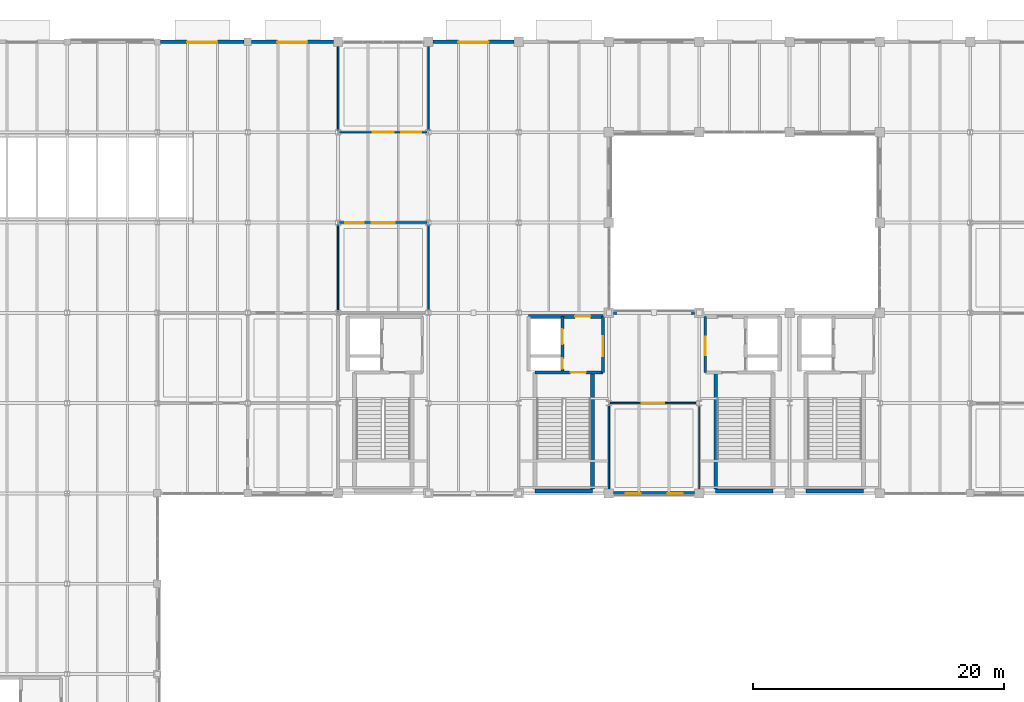
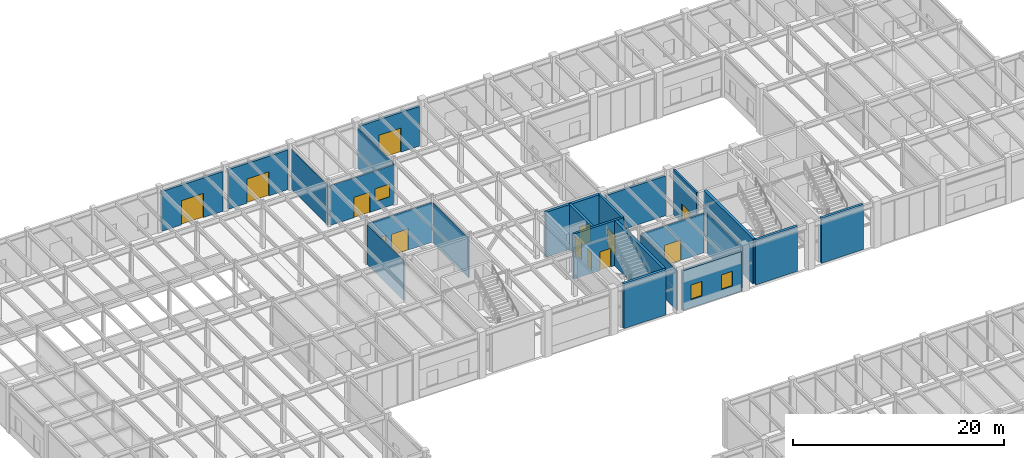
# One storey, part 41 of 97: 24 walls, 12 doors, 4 windows, 16 openings.
"""IFC4 building model written with IfcOpenShell, lengths in metres."""

from ifc_helpers import new_model, si_unit, direction, frame, frame_2d, origin, place, context, subcontext, project, spatial, rectangle, extrude, material, layer, layer_set, type_object, element, fill, save


model = new_model("IFC4")

# Units and contexts
model_context = context("Model", 3, precision=1e-05, world=origin(), true_north=direction((0.0, 1.0)))
body_context = subcontext(model_context, "Body", "Model", "MODEL_VIEW")
ifc_project = project(units=[si_unit("LENGTHUNIT", "METRE"), si_unit("AREAUNIT", "SQUARE_METRE"), si_unit("VOLUMEUNIT", "CUBIC_METRE"), si_unit("PLANEANGLEUNIT", "RADIAN"), si_unit("MASSUNIT", "GRAM", prefix="KILO")], contexts=[model_context])

# Site, building, storey
site_placement = place(None, origin())
site = spatial("IfcSite", under=ifc_project, at=site_placement, CompositionType="ELEMENT")
building_placement = place(site_placement, origin())
building = spatial("IfcBuilding", under=site, at=building_placement, Name="Sillqori Civic Hall", CompositionType="ELEMENT")
storey_placement = place(building_placement, origin())
storey = spatial("IfcBuildingStorey", under=building, at=storey_placement, Name="L01", CompositionType="ELEMENT", Elevation=0.0)

# Wall, opening, door
ifc_material_1 = material(Name="Concrete C35/45 (H35)", Category="concrete")
ifc_layer_1 = layer(ifc_material_1, 0.219970703125)
ifc_layer_set_1 = layer_set([ifc_layer_1], Name="Concrete C35/45 (H35)")
wall_type_1 = type_object("IfcWallType", Name="CW-SHR-220", PredefinedType="SHEAR", material=ifc_layer_set_1)
wall_1_placement = place(storey_placement, frame((71.52001953125, 93.300048828125, 0.0), z_axis=(0.0, 0.0, 1.0), x_axis=(0.0, -1.0, 0.0)))
wall_1 = element("IfcWall", 1, at=wall_1_placement, inside=storey, type_object=wall_type_1, Name="L01 C6 firefighting lobby enclosure wall", PredefinedType="SHEAR", context=body_context, shape_type="SweptSolid", body=[
    extrude(rectangle(XDim=4.449951171875, YDim=0.219970703125, at=frame_2d((2.22509765625, 0.0))), origin(), (0.0, 0.0, 1.0), 5.199951171875),
])
opening_1_placement = place(wall_1_placement, frame((1.550048828125, 0.0, 0.0)))
opening_1 = element("IfcOpeningElement", 2, at=opening_1_placement, cuts=wall_1, Name="Opening FD-04", PredefinedType="OPENING", context=body_context, shape_type="SweptSolid", body=[
    extrude(rectangle(XDim=1.60009765625, YDim=2.199951171875, at=frame_2d((0.800048828125, 1.10009765625))), frame((0.0, 0.119873046875, 0.0), z_axis=(0.0, -1.0, 0.0), x_axis=(1.0, 0.0, 0.0)), (0.0, 0.0, 1.0), 0.239990234375),
])
ifc_material_2 = material(Name="Double-Leaf Firefighting Lobby Door", Category="steel")
door_type_1 = type_object("IfcDoorType", Name="FDR-LOB-160X220", OperationType="NOTDEFINED", PredefinedType="DOOR", material=ifc_material_2)
door_1_placement = place(opening_1_placement, origin())
door_1 = element("IfcDoor", 3, at=door_1_placement, inside=storey, type_object=door_type_1, Name="L01 C6 firefighting lobby exit door", OperationType="DOUBLE_DOOR_SINGLE_SWING", OverallHeight=2.199951171875, OverallWidth=1.60009765625, PredefinedType="DOOR", context=body_context, shape_type="SweptSolid", body=[
    extrude(rectangle(XDim=1.60009765625, YDim=2.199951171875, at=frame_2d((0.800048828125, 1.10009765625))), frame((0.0, 0.02490234375, 0.0), z_axis=(0.0, -1.0, 0.0), x_axis=(1.0, 0.0, 0.0)), (0.0, 0.0, 1.0), 0.050048828125),
])
fill(opening_1, door_1)

wall_2_placement = place(storey_placement, frame((79.679931640625, 88.85009765625, 0.0), z_axis=(0.0, 0.0, 1.0), x_axis=(0.0, 1.0, 0.0)))
wall_2 = element("IfcWall", 4, at=wall_2_placement, inside=storey, type_object=wall_type_1, Name="L01 C7 firefighting lobby enclosure wall", PredefinedType="SHEAR", context=body_context, shape_type="SweptSolid", body=[
    extrude(rectangle(XDim=4.449951171875, YDim=0.219970703125, at=frame_2d((2.22509765625, 0.0))), origin(), (0.0, 0.0, 1.0), 5.199951171875),
])
opening_2_placement = place(wall_2_placement, frame((1.375, 0.0, 0.0)))
opening_2 = element("IfcOpeningElement", 5, at=opening_2_placement, cuts=wall_2, Name="Opening FD-03", PredefinedType="OPENING", context=body_context, shape_type="SweptSolid", body=[
    extrude(rectangle(XDim=1.449951171875, YDim=2.199951171875, at=frame_2d((0.72509765625, 1.10009765625))), frame((0.0, 0.119873046875, 0.0), z_axis=(0.0, -1.0, 0.0), x_axis=(1.0, 0.0, 0.0)), (0.0, 0.0, 1.0), 0.239990234375),
])
ifc_material_3 = material(Name="Double-Leaf Smoke-Seal Lobby Door", Category="steel")
door_type_2 = type_object("IfcDoorType", Name="FDR-LOB-145X220", OperationType="NOTDEFINED", PredefinedType="DOOR", material=ifc_material_3)
door_2_placement = place(opening_2_placement, origin())
door_2 = element("IfcDoor", 6, at=door_2_placement, inside=storey, type_object=door_type_2, Name="L01 C7 firefighting lobby exit door", OperationType="DOUBLE_DOOR_SINGLE_SWING", OverallHeight=2.199951171875, OverallWidth=1.449951171875, PredefinedType="DOOR", context=body_context, shape_type="SweptSolid", body=[
    extrude(rectangle(XDim=1.449951171875, YDim=2.199951171875, at=frame_2d((0.72509765625, 1.10009765625))), frame((0.0, 0.02490234375, 0.0), z_axis=(0.0, -1.0, 0.0), x_axis=(1.0, 0.0, 0.0)), (0.0, 0.0, 1.0), 0.050048828125),
])
fill(opening_2, door_2)

ifc_layer_2 = layer(ifc_material_1, 0.260009765625)
ifc_layer_set_2 = layer_set([ifc_layer_2], Name="Concrete C35/45 (H35)")
wall_type_2 = type_object("IfcWallType", Name="CW-SHR-260", PredefinedType="SHEAR", material=ifc_layer_set_2)
wall_3_placement = place(storey_placement, frame((66.110107421875, 88.85009765625, 0.0), z_axis=(0.0, 0.0, 1.0), x_axis=(1.0, 0.0, 0.0)))
wall_3 = element("IfcWall", 7, at=wall_3_placement, inside=storey, type_object=wall_type_2, Name="L01 C6 Stair-lobby fire wall", PredefinedType="SHEAR", context=body_context, shape_type="SweptSolid", body=[
    extrude(rectangle(XDim=5.409912109375, YDim=0.260009765625, at=frame_2d((2.705078125, 0.0))), origin(), (0.0, 0.0, 1.0), 5.199951171875),
])
opening_3_placement = place(wall_3_placement, frame((2.840087890625, 0.0, 0.0)))
opening_3 = element("IfcOpeningElement", 8, at=opening_3_placement, cuts=wall_3, Name="Opening FD-02", PredefinedType="OPENING", context=body_context, shape_type="SweptSolid", body=[
    extrude(rectangle(XDim=1.219970703125, YDim=2.14990234375, at=frame_2d((0.60986328125, 1.074951171875))), frame((0.0, 0.139892578125, 0.0), z_axis=(0.0, -1.0, 0.0), x_axis=(1.0, 0.0, 0.0)), (0.0, 0.0, 1.0), 0.280029296875),
])
ifc_material_4 = material(Name="Galvanized Steel Fire Door FD120S", Category="steel")
door_type_3 = type_object("IfcDoorType", Name="FDR-STR-122X215", OperationType="NOTDEFINED", PredefinedType="DOOR", material=ifc_material_4)
door_3_placement = place(opening_3_placement, origin())
door_3 = element("IfcDoor", 9, at=door_3_placement, inside=storey, type_object=door_type_3, Name="L01 stair ST-06 fire door", OperationType="SINGLE_SWING_RIGHT", OverallHeight=2.14990234375, OverallWidth=1.219970703125, PredefinedType="DOOR", context=body_context, shape_type="SweptSolid", body=[
    extrude(rectangle(XDim=1.219970703125, YDim=2.14990234375, at=frame_2d((0.60986328125, 1.074951171875))), frame((0.0, 0.02490234375, 0.0), z_axis=(0.0, -1.0, 0.0), x_axis=(1.0, 0.0, 0.0)), (0.0, 0.0, 1.0), 0.050048828125),
])
fill(opening_3, door_3)

# Wall, openings, doors
wall_4_placement = place(storey_placement, frame((68.300048828125, 93.300048828125, 0.0), z_axis=(0.0, 0.0, 1.0), x_axis=(0.0, -1.0, 0.0)))
wall_4 = element("IfcWall", 10, at=wall_4_placement, inside=storey, type_object=wall_type_2, Name="L01 C6 Lift landing & riser front wall", PredefinedType="SHEAR", context=body_context, shape_type="SweptSolid", body=[
    extrude(rectangle(XDim=4.320068359375, YDim=0.260009765625, at=frame_2d((2.16015625, 0.0))), origin(), (0.0, 0.0, 1.0), 5.199951171875),
])
opening_4_placement = place(wall_4_placement, frame((1.0, 0.0, 0.0)))
opening_4 = element("IfcOpeningElement", 11, at=opening_4_placement, cuts=wall_4, Name="Opening LD-02", PredefinedType="OPENING", context=body_context, shape_type="SweptSolid", body=[
    extrude(rectangle(XDim=1.199951171875, YDim=2.14990234375, at=frame_2d((0.60009765625, 1.074951171875))), frame((0.0, 0.139892578125, 0.0), z_axis=(0.0, -1.0, 0.0), x_axis=(1.0, 0.0, 0.0)), (0.0, 0.0, 1.0), 0.280029296875),
])
opening_5_placement = place(wall_4_placement, frame((3.324951171875, 0.0, 0.0)))
opening_5 = element("IfcOpeningElement", 12, at=opening_5_placement, cuts=wall_4, Name="Opening FD-05", PredefinedType="OPENING", context=body_context, shape_type="SweptSolid", body=[
    extrude(rectangle(XDim=0.85009765625, YDim=2.050048828125, at=frame_2d((0.425048828125, 1.02490234375))), frame((0.0, 0.139892578125, 0.0), z_axis=(0.0, -1.0, 0.0), x_axis=(1.0, 0.0, 0.0)), (0.0, 0.0, 1.0), 0.280029296875),
])
ifc_material_5 = material(Name="Steel Riser Access Fire Door", Category="steel")
door_type_4 = type_object("IfcDoorType", Name="FDR-RSR-085X205", OperationType="NOTDEFINED", PredefinedType="DOOR", material=ifc_material_5)
door_4_placement = place(opening_5_placement, origin())
door_4 = element("IfcDoor", 13, at=door_4_placement, inside=storey, type_object=door_type_4, Name="L01 MEP riser C6 fire access door", OperationType="SINGLE_SWING_LEFT", OverallHeight=2.050048828125, OverallWidth=0.85009765625, PredefinedType="DOOR", context=body_context, shape_type="SweptSolid", body=[
    extrude(rectangle(XDim=0.85009765625, YDim=2.050048828125, at=frame_2d((0.425048828125, 1.02490234375))), frame((0.0, 0.02490234375, 0.0), z_axis=(0.0, -1.0, 0.0), x_axis=(1.0, 0.0, 0.0)), (0.0, 0.0, 1.0), 0.050048828125),
])
fill(opening_5, door_4)
ifc_material_6 = material(Name="Firefighting Lift Landing Door", Category="steel")
door_type_5 = type_object("IfcDoorType", Name="LDR-FIRE-120X215", OperationType="NOTDEFINED", PredefinedType="DOOR", material=ifc_material_6)
door_5_placement = place(opening_4_placement, origin())
door_5 = element("IfcDoor", 14, at=door_5_placement, inside=storey, type_object=door_type_5, Name="L01 lift LF-01 sliding landing door", OperationType="DOUBLE_DOOR_SLIDING", OverallHeight=2.14990234375, OverallWidth=1.199951171875, PredefinedType="DOOR", context=body_context, shape_type="SweptSolid", body=[
    extrude(rectangle(XDim=1.199951171875, YDim=2.14990234375, at=frame_2d((0.60009765625, 1.074951171875))), frame((0.0, 0.02490234375, 0.0), z_axis=(0.0, -1.0, 0.0), x_axis=(1.0, 0.0, 0.0)), (0.0, 0.0, 1.0), 0.050048828125),
])
fill(opening_4, door_5)

# Walls
ifc_layer_3 = layer(ifc_material_1, 0.300048828125)
ifc_layer_set_3 = layer_set([ifc_layer_3], Name="Concrete C35/45 (H35)")
wall_type_3 = type_object("IfcWallType", Name="CW-SHR-300", PredefinedType="SHEAR", material=ifc_layer_set_3)
wall_5_placement = place(storey_placement, frame((66.110107421875, 79.39990234375, 0.0), z_axis=(0.0, 0.0, 1.0), x_axis=(1.0, 0.0, 0.0)))
element("IfcWall", 15, at=wall_5_placement, inside=storey, type_object=wall_type_3, Name="L01 C6 Stair south shear wall", PredefinedType="SHEAR", context=body_context, shape_type="SweptSolid", body=[
    extrude(rectangle(XDim=4.579833984375, YDim=0.300048828125, at=frame_2d((2.2900390625, 0.0))), origin(), (0.0, 0.0, 1.0), 5.199951171875),
])
wall_6_placement = place(storey_placement, frame((70.68994140625, 79.550048828125, 0.0), z_axis=(0.0, 0.0, 1.0), x_axis=(0.0, 1.0, 0.0)))
element("IfcWall", 16, at=wall_6_placement, inside=storey, type_object=wall_type_3, Name="L01 C6 Stair east shear wall", PredefinedType="SHEAR", context=body_context, shape_type="SweptSolid", body=[
    extrude(rectangle(XDim=9.300048828125, YDim=0.300048828125, at=frame_2d((4.64990234375, 0.0))), origin(), (0.0, 0.0, 1.0), 5.199951171875),
])

# Wall, opening, door
wall_7_placement = place(storey_placement, frame((65.60009765625, 93.300048828125, 0.0), z_axis=(0.0, 0.0, 1.0), x_axis=(1.0, 0.0, 0.0)))
wall_7 = element("IfcWall", 17, at=wall_7_placement, inside=storey, type_object=wall_type_3, Name="L01 C6 Core north shear wall", PredefinedType="SHEAR", context=body_context, shape_type="SweptSolid", body=[
    extrude(rectangle(XDim=5.919921875, YDim=0.300048828125, at=frame_2d((2.9599609375, 0.0))), origin(), (0.0, 0.0, 1.0), 5.199951171875),
])
opening_6_placement = place(wall_7_placement, frame((3.699951171875, 0.0, 0.0)))
opening_6 = element("IfcOpeningElement", 18, at=opening_6_placement, cuts=wall_7, Name="Opening FD-02", PredefinedType="OPENING", context=body_context, shape_type="SweptSolid", body=[
    extrude(rectangle(XDim=1.219970703125, YDim=2.14990234375, at=frame_2d((0.60986328125, 1.074951171875))), frame((0.0, 0.159912109375, 0.0), z_axis=(0.0, -1.0, 0.0), x_axis=(1.0, 0.0, 0.0)), (0.0, 0.0, 1.0), 0.320068359375),
])
door_6_placement = place(opening_6_placement, origin())
door_6 = element("IfcDoor", 19, at=door_6_placement, inside=storey, type_object=door_type_3, Name="L01 C6 north protected corridor exit door", OperationType="SINGLE_SWING_RIGHT", OverallHeight=2.14990234375, OverallWidth=1.219970703125, PredefinedType="DOOR", context=body_context, shape_type="SweptSolid", body=[
    extrude(rectangle(XDim=1.219970703125, YDim=2.14990234375, at=frame_2d((0.60986328125, 1.074951171875))), frame((0.0, 0.02490234375, 0.0), z_axis=(0.0, -1.0, 0.0), x_axis=(1.0, 0.0, 0.0)), (0.0, 0.0, 1.0), 0.050048828125),
])
fill(opening_6, door_6)

# Walls
wall_8_placement = place(storey_placement, frame((80.510009765625, 79.39990234375, 0.0), z_axis=(0.0, 0.0, 1.0), x_axis=(1.0, 0.0, 0.0)))
element("IfcWall", 20, at=wall_8_placement, inside=storey, type_object=wall_type_3, Name="L01 C7 Stair south shear wall", PredefinedType="SHEAR", context=body_context, shape_type="SweptSolid", body=[
    extrude(rectangle(XDim=4.580078125, YDim=0.300048828125, at=frame_2d((2.2900390625, 0.0))), origin(), (0.0, 0.0, 1.0), 5.199951171875),
])
wall_9_placement = place(storey_placement, frame((80.510009765625, 79.550048828125, 0.0), z_axis=(0.0, 0.0, 1.0), x_axis=(0.0, 1.0, 0.0)))
element("IfcWall", 21, at=wall_9_placement, inside=storey, type_object=wall_type_3, Name="L01 C7 Stair west shear wall", PredefinedType="SHEAR", context=body_context, shape_type="SweptSolid", body=[
    extrude(rectangle(XDim=9.300048828125, YDim=0.300048828125, at=frame_2d((4.64990234375, 0.0))), origin(), (0.0, 0.0, 1.0), 5.199951171875),
])
wall_10_placement = place(storey_placement, frame((87.7099609375, 79.39990234375, 0.0), z_axis=(0.0, 0.0, 1.0), x_axis=(1.0, 0.0, 0.0)))
element("IfcWall", 22, at=wall_10_placement, inside=storey, type_object=wall_type_3, Name="L01 C8 Stair south shear wall", PredefinedType="SHEAR", context=body_context, shape_type="SweptSolid", body=[
    extrude(rectangle(XDim=4.580078125, YDim=0.300048828125, at=frame_2d((2.2900390625, 0.0))), origin(), (0.0, 0.0, 1.0), 5.199951171875),
])

# Wall, opening, door
ifc_material_7 = material(Name="Precast concrete C40/50 (H40)", Category="concrete")
ifc_layer_4 = layer(ifc_material_7, 0.280029296875)
ifc_layer_set_4 = layer_set([ifc_layer_4], Name="Precast concrete C40/50 (H40)")
wall_type_4 = type_object("IfcWallType", Name="EW-LIME-280", PredefinedType="SOLIDWALL", material=ifc_layer_set_4)
wall_11_placement = place(storey_placement, frame((36.25, 115.199951171875, 0.0), z_axis=(0.0, 0.0, 1.0), x_axis=(1.0, 0.0, 0.0)))
wall_11 = element("IfcWall", 23, at=wall_11_placement, inside=storey, type_object=wall_type_4, Name="L01 V4 exterior wall L01-05-15-N", PredefinedType="SOLIDWALL", context=body_context, shape_type="SweptSolid", body=[
    extrude(rectangle(XDim=6.64990234375, YDim=0.280029296875, at=frame_2d((3.324951171875, 0.0))), origin(), (0.0, 0.0, 1.0), 4.597900390625),
])
opening_7_placement = place(wall_11_placement, frame((2.125, 0.0, 0.0)))
opening_7 = element("IfcOpeningElement", 24, at=opening_7_placement, cuts=wall_11, Name="Opening ED-01", PredefinedType="OPENING", context=body_context, shape_type="SweptSolid", body=[
    extrude(rectangle(XDim=2.39990234375, YDim=2.800048828125, at=frame_2d((1.199951171875, 1.39990234375))), frame((0.0, 0.14990234375, 0.0), z_axis=(0.0, -1.0, 0.0), x_axis=(1.0, 0.0, 0.0)), (0.0, 0.0, 1.0), 0.300048828125),
])
ifc_material_8 = material(Name="Thermally Broken Anodized Aluminium and Laminated Glass", Category="aluminium")
door_type_6 = type_object("IfcDoorType", Name="EDR-MAIN-240X280", OperationType="NOTDEFINED", PredefinedType="DOOR", material=ifc_material_8)
door_7_placement = place(opening_7_placement, origin())
door_7 = element("IfcDoor", 25, at=door_7_placement, inside=storey, type_object=door_type_6, Name="North Civic Garden Promenade Exit", OperationType="DOUBLE_DOOR_SINGLE_SWING", OverallHeight=2.800048828125, OverallWidth=2.39990234375, PredefinedType="DOOR", context=body_context, shape_type="SweptSolid", body=[
    extrude(rectangle(XDim=2.39990234375, YDim=2.800048828125, at=frame_2d((1.199951171875, 1.39990234375))), frame((0.0, 0.02490234375, 0.0), z_axis=(0.0, -1.0, 0.0), x_axis=(1.0, 0.0, 0.0)), (0.0, 0.0, 1.0), 0.050048828125),
])
fill(opening_7, door_7)

wall_12_placement = place(storey_placement, frame((43.5, 115.199951171875, 0.0), z_axis=(0.0, 0.0, 1.0), x_axis=(1.0, 0.0, 0.0)))
wall_12 = element("IfcWall", 26, at=wall_12_placement, inside=storey, type_object=wall_type_4, Name="L01 V4 exterior wall L01-06-15-N", PredefinedType="SOLIDWALL", context=body_context, shape_type="SweptSolid", body=[
    extrude(rectangle(XDim=6.52490234375, YDim=0.280029296875, at=frame_2d((3.262451171875, 0.0))), origin(), (0.0, 0.0, 1.0), 4.597900390625),
])
opening_8_placement = place(wall_12_placement, frame((2.0625, 0.0, 0.0)))
opening_8 = element("IfcOpeningElement", 27, at=opening_8_placement, cuts=wall_12, Name="Opening ED-01", PredefinedType="OPENING", context=body_context, shape_type="SweptSolid", body=[
    extrude(rectangle(XDim=2.39990234375, YDim=2.800048828125, at=frame_2d((1.199951171875, 1.39990234375))), frame((0.0, 0.14990234375, 0.0), z_axis=(0.0, -1.0, 0.0), x_axis=(1.0, 0.0, 0.0)), (0.0, 0.0, 1.0), 0.300048828125),
])
door_8_placement = place(opening_8_placement, origin())
door_8 = element("IfcDoor", 28, at=door_8_placement, inside=storey, type_object=door_type_6, Name="North Civic Garden Core C5 Exit", OperationType="DOUBLE_DOOR_SINGLE_SWING", OverallHeight=2.800048828125, OverallWidth=2.39990234375, PredefinedType="DOOR", context=body_context, shape_type="SweptSolid", body=[
    extrude(rectangle(XDim=2.39990234375, YDim=2.800048828125, at=frame_2d((1.199951171875, 1.39990234375))), frame((0.0, 0.02490234375, 0.0), z_axis=(0.0, -1.0, 0.0), x_axis=(1.0, 0.0, 0.0)), (0.0, 0.0, 1.0), 0.050048828125),
])
fill(opening_8, door_8)

wall_13_placement = place(storey_placement, frame((57.97509765625, 115.199951171875, 0.0), z_axis=(0.0, 0.0, 1.0), x_axis=(1.0, 0.0, 0.0)))
wall_13 = element("IfcWall", 29, at=wall_13_placement, inside=storey, type_object=wall_type_4, Name="L01 V4 exterior wall L01-08-15-N", PredefinedType="SOLIDWALL", context=body_context, shape_type="SweptSolid", body=[
    extrude(rectangle(XDim=6.449951171875, YDim=0.280029296875, at=frame_2d((3.22509765625, 0.0))), origin(), (0.0, 0.0, 1.0), 4.597900390625),
])
opening_9_placement = place(wall_13_placement, frame((2.02490234375, 0.0, 0.0)))
opening_9 = element("IfcOpeningElement", 30, at=opening_9_placement, cuts=wall_13, Name="Opening ED-01", PredefinedType="OPENING", context=body_context, shape_type="SweptSolid", body=[
    extrude(rectangle(XDim=2.39990234375, YDim=2.800048828125, at=frame_2d((1.199951171875, 1.39990234375))), frame((0.0, 0.14990234375, 0.0), z_axis=(0.0, -1.0, 0.0), x_axis=(1.0, 0.0, 0.0)), (0.0, 0.0, 1.0), 0.300048828125),
])
door_9_placement = place(opening_9_placement, origin())
door_9 = element("IfcDoor", 31, at=door_9_placement, inside=storey, type_object=door_type_6, Name="North Civic Garden Core C6 Exit", OperationType="DOUBLE_DOOR_SINGLE_SWING", OverallHeight=2.800048828125, OverallWidth=2.39990234375, PredefinedType="DOOR", context=body_context, shape_type="SweptSolid", body=[
    extrude(rectangle(XDim=2.39990234375, YDim=2.800048828125, at=frame_2d((1.199951171875, 1.39990234375))), frame((0.0, 0.02490234375, 0.0), z_axis=(0.0, -1.0, 0.0), x_axis=(1.0, 0.0, 0.0)), (0.0, 0.0, 1.0), 0.050048828125),
])
fill(opening_9, door_9)

# Wall, openings, windows
wall_14_placement = place(storey_placement, frame((78.824951171875, 79.199951171875, 0.0), z_axis=(0.0, 0.0, 1.0), x_axis=(-1.0, 0.0, 0.0)))
wall_14 = element("IfcWall", 32, at=wall_14_placement, inside=storey, type_object=wall_type_4, Name="L01 V4 exterior wall L01-10-11-S", PredefinedType="SOLIDWALL", context=body_context, shape_type="SweptSolid", body=[
    extrude(rectangle(XDim=6.449951171875, YDim=0.280029296875, at=frame_2d((3.22509765625, 0.0))), origin(), (0.0, 0.0, 1.0), 4.597900390625),
])
opening_10_placement = place(wall_14_placement, frame((0.947998046875, 0.0, 0.949951171875)))
opening_10 = element("IfcOpeningElement", 33, at=opening_10_placement, cuts=wall_14, Name="Opening W-22", PredefinedType="OPENING", context=body_context, shape_type="SweptSolid", body=[
    extrude(rectangle(XDim=1.199951171875, YDim=1.699951171875, at=frame_2d((0.60009765625, 0.85009765625))), frame((0.0, 0.14990234375, 0.0), z_axis=(0.0, -1.0, 0.0), x_axis=(1.0, 0.0, 0.0)), (0.0, 0.0, 1.0), 0.300048828125),
])
opening_11_placement = place(wall_14_placement, frame((4.302001953125, 0.0, 0.949951171875)))
opening_11 = element("IfcOpeningElement", 34, at=opening_11_placement, cuts=wall_14, Name="Opening W-22", PredefinedType="OPENING", context=body_context, shape_type="SweptSolid", body=[
    extrude(rectangle(XDim=1.199951171875, YDim=1.699951171875, at=frame_2d((0.60009765625, 0.85009765625))), frame((0.0, 0.14990234375, 0.0), z_axis=(0.0, -1.0, 0.0), x_axis=(1.0, 0.0, 0.0)), (0.0, 0.0, 1.0), 0.300048828125),
])
ifc_material_9 = material(Name="Thermally Broken Aluminium Low-E Window", Category="aluminium")
window_type_1 = type_object("IfcWindowType", Name="WIN-V5-120X170", PartitioningType="SINGLE_PANEL", PredefinedType="WINDOW", material=ifc_material_9)
window_1_placement = place(opening_10_placement, origin())
window_1 = element("IfcWindow", 35, at=window_1_placement, inside=storey, type_object=window_type_1, Name="L01 V4 window L01-10-11-S.1", OverallHeight=1.699951171875, OverallWidth=1.199951171875, PartitioningType="SINGLE_PANEL", PredefinedType="WINDOW", context=body_context, shape_type="SweptSolid", body=[
    extrude(rectangle(XDim=1.199951171875, YDim=1.699951171875, at=frame_2d((0.60009765625, 0.85009765625))), frame((0.0, 0.030029296875, 0.0), z_axis=(0.0, -1.0, 0.0), x_axis=(1.0, 0.0, 0.0)), (0.0, 0.0, 1.0), 0.06005859375),
])
fill(opening_10, window_1)
window_2_placement = place(opening_11_placement, origin())
window_2 = element("IfcWindow", 36, at=window_2_placement, inside=storey, type_object=window_type_1, Name="L01 V4 window L01-10-11-S.2", OverallHeight=1.699951171875, OverallWidth=1.199951171875, PartitioningType="SINGLE_PANEL", PredefinedType="WINDOW", context=body_context, shape_type="SweptSolid", body=[
    extrude(rectangle(XDim=1.199951171875, YDim=1.699951171875, at=frame_2d((0.60009765625, 0.85009765625))), frame((0.0, 0.030029296875, 0.0), z_axis=(0.0, -1.0, 0.0), x_axis=(1.0, 0.0, 0.0)), (0.0, 0.0, 1.0), 0.06005859375),
])
fill(opening_11, window_2)

# Walls
wall_15_placement = place(storey_placement, frame((72.375, 93.60009765625, 0.0), z_axis=(0.0, 0.0, 1.0), x_axis=(1.0, 0.0, 0.0)))
element("IfcWall", 37, at=wall_15_placement, inside=storey, type_object=wall_type_4, Name="L01 V4 exterior wall L01-10-12-N", PredefinedType="SOLIDWALL", context=body_context, shape_type="SweptSolid", body=[
    extrude(rectangle(XDim=6.449951171875, YDim=0.280029296875, at=frame_2d((3.22509765625, 0.0))), origin(), (0.0, 0.0, 1.0), 4.597900390625),
])
ifc_material_10 = material(Name="Framed Acoustic Glazed Office Screen 106", Category="glass")
ifc_layer_5 = layer(ifc_material_10, 0.10595703125)
ifc_layer_set_5 = layer_set([ifc_layer_5], Name="Framed Acoustic Glazed Office Screen 106")
wall_type_5 = type_object("IfcWallType", Name="PT-GLZ-106", PredefinedType="PARTITIONING", material=ifc_layer_set_5)
wall_16_placement = place(storey_placement, frame((50.39990234375, 93.719970703125, 0.0), z_axis=(0.0, 0.0, 1.0), x_axis=(0.0, 1.0, 0.0)))
element("IfcWall", 38, at=wall_16_placement, inside=storey, type_object=wall_type_5, Name="Municipal Cadastre Public Counter L01-05 partition W3", PredefinedType="PARTITIONING", context=body_context, shape_type="SweptSolid", body=[
    extrude(rectangle(XDim=6.9599609375, YDim=0.10595703125, at=frame_2d((3.47998046875, 0.0))), origin(), (0.0, 0.0, 1.0), 4.587890625),
])
wall_17_placement = place(storey_placement, frame((57.60009765625, 100.679931640625, 0.0), z_axis=(0.0, 0.0, 1.0), x_axis=(0.0, -1.0, 0.0)))
element("IfcWall", 39, at=wall_17_placement, inside=storey, type_object=wall_type_5, Name="Municipal Cadastre Public Counter L01-05 partition E4", PredefinedType="PARTITIONING", context=body_context, shape_type="SweptSolid", body=[
    extrude(rectangle(XDim=6.800048828125, YDim=0.10595703125, at=frame_2d((3.39990234375, 0.0))), origin(), (0.0, 0.0, 1.0), 4.587890625),
])
ifc_material_11 = material(Name="Double-Glazed Civic Suite Screen 118", Category="glass")
ifc_layer_6 = layer(ifc_material_11, 0.117919921875)
ifc_layer_set_6 = layer_set([ifc_layer_6], Name="Double-Glazed Civic Suite Screen 118")
wall_type_6 = type_object("IfcWallType", Name="PT-GLZ-118", PredefinedType="PARTITIONING", material=ifc_layer_set_6)
wall_18_placement = place(storey_placement, frame((50.39990234375, 108.1201171875, 0.0), z_axis=(0.0, 0.0, 1.0), x_axis=(0.0, 1.0, 0.0)))
element("IfcWall", 40, at=wall_18_placement, inside=storey, type_object=wall_type_6, Name="Business Licensing Intake Hall L01-06 partition W2", PredefinedType="PARTITIONING", context=body_context, shape_type="SweptSolid", body=[
    extrude(rectangle(XDim=6.9599609375, YDim=0.117919921875, at=frame_2d((3.47998046875, 0.0))), origin(), (0.0, 0.0, 1.0), 4.587890625),
])
wall_19_placement = place(storey_placement, frame((57.60009765625, 114.919921875, 0.0), z_axis=(0.0, 0.0, 1.0), x_axis=(0.0, -1.0, 0.0)))
element("IfcWall", 41, at=wall_19_placement, inside=storey, type_object=wall_type_6, Name="Business Licensing Intake Hall L01-06 partition E3", PredefinedType="PARTITIONING", context=body_context, shape_type="SweptSolid", body=[
    extrude(rectangle(XDim=6.7998046875, YDim=0.117919921875, at=frame_2d((3.39990234375, 0.0))), origin(), (0.0, 0.0, 1.0), 4.587890625),
])

# Wall, opening, door
ifc_material_12 = material(Name="Acoustic Steel-Stud Partition 116", Category="steel")
ifc_layer_7 = layer(ifc_material_12, 0.115966796875)
ifc_layer_set_7 = layer_set([ifc_layer_7], Name="Acoustic Steel-Stud Partition 116")
wall_type_7 = type_object("IfcWallType", Name="PT-GYP-116", PredefinedType="PARTITIONING", material=ifc_layer_set_7)
wall_20_placement = place(storey_placement, frame((72.1201171875, 86.39990234375, 0.0), z_axis=(0.0, 0.0, 1.0), x_axis=(1.0, 0.0, 0.0)))
wall_20 = element("IfcWall", 42, at=wall_20_placement, inside=storey, type_object=wall_type_7, Name="Social Services Citizen Advisory Suite L01-07 partition N1", PredefinedType="PARTITIONING", context=body_context, shape_type="SweptSolid", body=[
    extrude(rectangle(XDim=6.7998046875, YDim=0.115966796875, at=frame_2d((3.39990234375, 0.0))), origin(), (0.0, 0.0, 1.0), 4.587890625),
])
opening_12_placement = place(wall_20_placement, frame((2.510009765625, 0.0, 0.0)))
opening_12 = element("IfcOpeningElement", 43, at=opening_12_placement, cuts=wall_20, Name="Opening ID-40", PredefinedType="OPENING", context=body_context, shape_type="SweptSolid", body=[
    extrude(rectangle(XDim=1.780029296875, YDim=2.360107421875, at=frame_2d((0.89013671875, 1.18017578125))), frame((0.0, 0.06787109375, 0.0), z_axis=(0.0, -1.0, 0.0), x_axis=(1.0, 0.0, 0.0)), (0.0, 0.0, 1.0), 0.135986328125),
])
ifc_material_13 = material(Name="Assembly Double Door 1780", Category="timber")
door_type_7 = type_object("IfcDoorType", Name="IDR-DIR-178X236", OperationType="NOTDEFINED", PredefinedType="DOOR", material=ifc_material_13)
door_10_placement = place(opening_12_placement, origin())
door_10 = element("IfcDoor", 44, at=door_10_placement, inside=storey, type_object=door_type_7, Name="Social Services Citizen Advisory Suite L01-07 entrance door", OperationType="DOUBLE_DOOR_SINGLE_SWING", OverallHeight=2.360107421875, OverallWidth=1.780029296875, PredefinedType="DOOR", context=body_context, shape_type="SweptSolid", body=[
    extrude(rectangle(XDim=1.780029296875, YDim=2.360107421875, at=frame_2d((0.89013671875, 1.18017578125))), frame((0.0, 0.02490234375, 0.0), z_axis=(0.0, -1.0, 0.0), x_axis=(1.0, 0.0, 0.0)), (0.0, 0.0, 1.0), 0.050048828125),
])
fill(opening_12, door_10)

# Walls
wall_21_placement = place(storey_placement, frame((72.0, 79.320068359375, 0.0), z_axis=(0.0, 0.0, 1.0), x_axis=(0.0, 1.0, 0.0)))
element("IfcWall", 45, at=wall_21_placement, inside=storey, type_object=wall_type_7, Name="Social Services Citizen Advisory Suite L01-07 partition W2", PredefinedType="PARTITIONING", context=body_context, shape_type="SweptSolid", body=[
    extrude(rectangle(XDim=6.9599609375, YDim=0.115966796875, at=frame_2d((3.47998046875, 0.0))), origin(), (0.0, 0.0, 1.0), 4.587890625),
])
wall_22_placement = place(storey_placement, frame((79.199951171875, 86.1201171875, 0.0), z_axis=(0.0, 0.0, 1.0), x_axis=(0.0, -1.0, 0.0)))
element("IfcWall", 46, at=wall_22_placement, inside=storey, type_object=wall_type_7, Name="Social Services Citizen Advisory Suite L01-07 partition E3", PredefinedType="PARTITIONING", context=body_context, shape_type="SweptSolid", body=[
    extrude(rectangle(XDim=6.64013671875, YDim=0.115966796875, at=frame_2d((3.320068359375, 0.0))), origin(), (0.0, 0.0, 1.0), 4.656982421875),
])

# Wall, openings, door, window
ifc_material_14 = material(Name="Corridor Fire-Rated Partition 150", Category="gypsum")
ifc_layer_8 = layer(ifc_material_14, 0.14990234375)
ifc_layer_set_8 = layer_set([ifc_layer_8], Name="Corridor Fire-Rated Partition 150")
wall_type_8 = type_object("IfcWallType", Name="PT-GYP-150", PredefinedType="PARTITIONING", material=ifc_layer_set_8)
wall_23_placement = place(storey_placement, frame((50.52001953125, 100.800048828125, 0.0), z_axis=(0.0, 0.0, 1.0), x_axis=(1.0, 0.0, 0.0)))
wall_23 = element("IfcWall", 47, at=wall_23_placement, inside=storey, type_object=wall_type_8, Name="Municipal Cadastre Public Counter L01-05 partition N1", PredefinedType="PARTITIONING", context=body_context, shape_type="SweptSolid", body=[
    extrude(rectangle(XDim=6.9599609375, YDim=0.14990234375, at=frame_2d((3.47998046875, 0.0))), origin(), (0.0, 0.0, 1.0), 4.587890625),
])
opening_13_placement = place(wall_23_placement, frame((2.554931640625, 0.0, 0.0)))
opening_13 = element("IfcOpeningElement", 48, at=opening_13_placement, cuts=wall_23, Name="Opening ID-05", PredefinedType="OPENING", context=body_context, shape_type="SweptSolid", body=[
    extrude(rectangle(XDim=1.85009765625, YDim=2.449951171875, at=frame_2d((0.925048828125, 1.22509765625))), frame((0.0, 0.0849609375, 0.0), z_axis=(0.0, -1.0, 0.0), x_axis=(1.0, 0.0, 0.0)), (0.0, 0.0, 1.0), 0.169921875),
])
opening_14_placement = place(wall_23_placement, frame((0.449951171875, 0.0, 1.050048828125)))
opening_14 = element("IfcOpeningElement", 49, at=opening_14_placement, cuts=wall_23, Name="Opening IW-49", PredefinedType="OPENING", context=body_context, shape_type="SweptSolid", body=[
    extrude(rectangle(XDim=1.47998046875, YDim=1.47998046875, at=frame_2d((0.739990234375, 0.739990234375))), frame((0.0, 0.0849609375, 0.0), z_axis=(0.0, -1.0, 0.0), x_axis=(1.0, 0.0, 0.0)), (0.0, 0.0, 1.0), 0.169921875),
])
ifc_material_15 = material(Name="Citizens Counter Glazed Double Door", Category="aluminium")
door_type_8 = type_object("IfcDoorType", Name="IDR-CSC-185X245", OperationType="NOTDEFINED", PredefinedType="DOOR", material=ifc_material_15)
door_11_placement = place(opening_13_placement, origin())
door_11 = element("IfcDoor", 50, at=door_11_placement, inside=storey, type_object=door_type_8, Name="Municipal Cadastre Public Counter L01-05 entrance door", OperationType="DOUBLE_DOOR_SINGLE_SWING", OverallHeight=2.449951171875, OverallWidth=1.85009765625, PredefinedType="DOOR", context=body_context, shape_type="SweptSolid", body=[
    extrude(rectangle(XDim=1.85009765625, YDim=2.449951171875, at=frame_2d((0.925048828125, 1.22509765625))), frame((0.0, 0.02490234375, 0.0), z_axis=(0.0, -1.0, 0.0), x_axis=(1.0, 0.0, 0.0)), (0.0, 0.0, 1.0), 0.050048828125),
])
fill(opening_13, door_11)
ifc_material_16 = material(Name="Acoustic Laminated Interior Clerestory Glazing", Category="glass")
window_type_2 = type_object("IfcWindowType", Name="IWN-GAL-148X148", PartitioningType="SINGLE_PANEL", PredefinedType="WINDOW", material=ifc_material_16)
window_3_placement = place(opening_14_placement, origin())
window_3 = element("IfcWindow", 51, at=window_3_placement, inside=storey, type_object=window_type_2, Name="Municipal Cadastre Public Counter L01-05 borrowed-light screen", OverallHeight=1.47998046875, OverallWidth=1.47998046875, PartitioningType="SINGLE_PANEL", PredefinedType="WINDOW", context=body_context, shape_type="SweptSolid", body=[
    extrude(rectangle(XDim=1.47998046875, YDim=1.47998046875, at=frame_2d((0.739990234375, 0.739990234375))), frame((0.0, 0.030029296875, 0.0), z_axis=(0.0, -1.0, 0.0), x_axis=(1.0, 0.0, 0.0)), (0.0, 0.0, 1.0), 0.06005859375),
])
fill(opening_14, window_3)

wall_24_placement = place(storey_placement, frame((57.47998046875, 108.0, 0.0), z_axis=(0.0, 0.0, 1.0), x_axis=(-1.0, 0.0, 0.0)))
wall_24 = element("IfcWall", 52, at=wall_24_placement, inside=storey, type_object=wall_type_8, Name="Business Licensing Intake Hall L01-06 partition S1", PredefinedType="PARTITIONING", context=body_context, shape_type="SweptSolid", body=[
    extrude(rectangle(XDim=6.9599609375, YDim=0.14990234375, at=frame_2d((3.47998046875, 0.0))), origin(), (0.0, 0.0, 1.0), 4.587890625),
])
opening_15_placement = place(wall_24_placement, frame((2.6298828125, 0.0, 0.0)))
opening_15 = element("IfcOpeningElement", 53, at=opening_15_placement, cuts=wall_24, Name="Opening ID-06", PredefinedType="OPENING", context=body_context, shape_type="SweptSolid", body=[
    extrude(rectangle(XDim=1.699951171875, YDim=2.35009765625, at=frame_2d((0.85009765625, 1.175048828125))), frame((0.0, 0.0849609375, 0.0), z_axis=(0.0, -1.0, 0.0), x_axis=(1.0, 0.0, 0.0)), (0.0, 0.0, 1.0), 0.169921875),
])
opening_16_placement = place(wall_24_placement, frame((0.449951171875, 0.0, 1.050048828125)))
opening_16 = element("IfcOpeningElement", 54, at=opening_16_placement, cuts=wall_24, Name="Opening IW-50", PredefinedType="OPENING", context=body_context, shape_type="SweptSolid", body=[
    extrude(rectangle(XDim=1.580078125, YDim=1.47998046875, at=frame_2d((0.7900390625, 0.739990234375))), frame((0.0, 0.0849609375, 0.0), z_axis=(0.0, -1.0, 0.0), x_axis=(1.0, 0.0, 0.0)), (0.0, 0.0, 1.0), 0.169921875),
])
ifc_material_17 = material(Name="Revenue Hall Glazed Double Door", Category="aluminium")
door_type_9 = type_object("IfcDoorType", Name="IDR-CSC-170X235", OperationType="NOTDEFINED", PredefinedType="DOOR", material=ifc_material_17)
door_12_placement = place(opening_15_placement, origin())
door_12 = element("IfcDoor", 55, at=door_12_placement, inside=storey, type_object=door_type_9, Name="Business Licensing Intake Hall L01-06 entrance door", OperationType="DOUBLE_DOOR_SINGLE_SWING", OverallHeight=2.35009765625, OverallWidth=1.699951171875, PredefinedType="DOOR", context=body_context, shape_type="SweptSolid", body=[
    extrude(rectangle(XDim=1.699951171875, YDim=2.35009765625, at=frame_2d((0.85009765625, 1.175048828125))), frame((0.0, 0.02490234375, 0.0), z_axis=(0.0, -1.0, 0.0), x_axis=(1.0, 0.0, 0.0)), (0.0, 0.0, 1.0), 0.050048828125),
])
fill(opening_15, door_12)
window_type_3 = type_object("IfcWindowType", Name="IWN-GAL-158X148", PartitioningType="SINGLE_PANEL", PredefinedType="WINDOW", material=ifc_material_16)
window_4_placement = place(opening_16_placement, origin())
window_4 = element("IfcWindow", 56, at=window_4_placement, inside=storey, type_object=window_type_3, Name="Business Licensing Intake Hall L01-06 borrowed-light screen", OverallHeight=1.47998046875, OverallWidth=1.580078125, PartitioningType="SINGLE_PANEL", PredefinedType="WINDOW", context=body_context, shape_type="SweptSolid", body=[
    extrude(rectangle(XDim=1.580078125, YDim=1.47998046875, at=frame_2d((0.7900390625, 0.739990234375))), frame((0.0, 0.030029296875, 0.0), z_axis=(0.0, -1.0, 0.0), x_axis=(1.0, 0.0, 0.0)), (0.0, 0.0, 1.0), 0.06005859375),
])
fill(opening_16, window_4)

save(model, "model.ifc")
